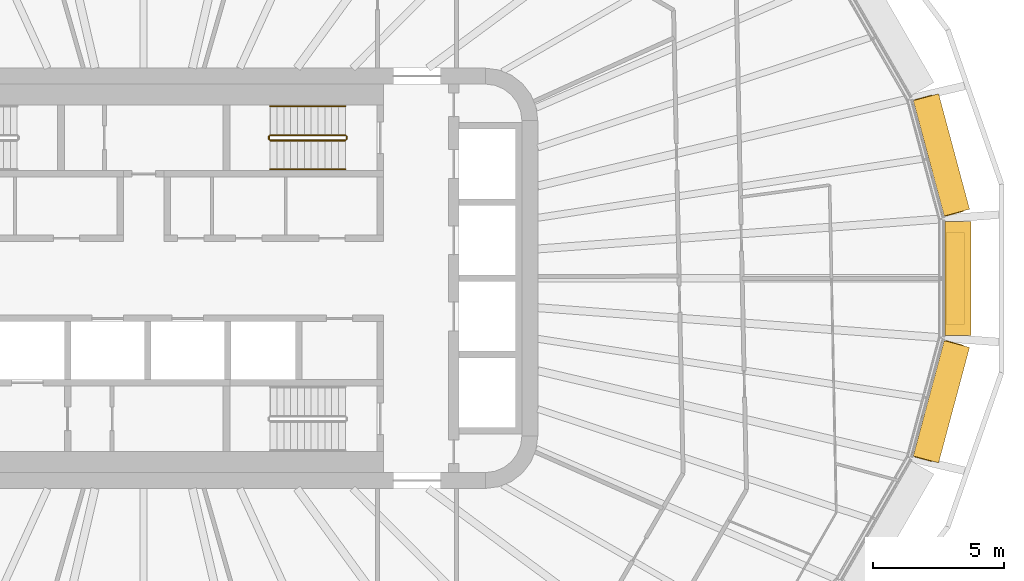
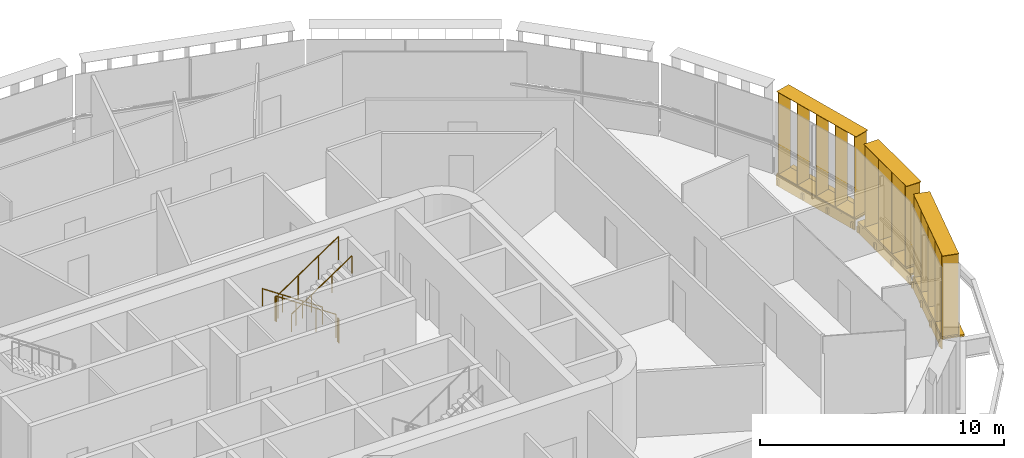
# One storey, part 22 of 23: 6 railings, 6 shading devices.
"""IFC4 building model written with IfcOpenShell, lengths in metres."""

from ifc_helpers import new_model, si_unit, direction, frame, origin, origin_2d, place, context, subcontext, project, spatial, rectangle, circle, extrude, material, type_object, element, save


model = new_model("IFC4")

# Units and contexts
model_context = context("Model", 3, precision=1e-05, world=origin(), true_north=direction((0.0, 1.0)))
body_context = subcontext(model_context, "Body", "Model", "MODEL_VIEW")
ifc_project = project(units=[si_unit("LENGTHUNIT", "METRE"), si_unit("AREAUNIT", "SQUARE_METRE"), si_unit("VOLUMEUNIT", "CUBIC_METRE"), si_unit("PLANEANGLEUNIT", "RADIAN"), si_unit("MASSUNIT", "GRAM", prefix="KILO")], contexts=[model_context])

# Site, building, storey
site_placement = place(None, origin())
site = spatial("IfcSite", under=ifc_project, at=site_placement, CompositionType="ELEMENT")
building_placement = place(site_placement, origin())
building = spatial("IfcBuilding", under=site, at=building_placement, Name="Sahrelin Media Tower", CompositionType="ELEMENT")
storey_placement = place(building_placement, frame((0.0, 0.0, 54.60009765625)))
storey = spatial("IfcBuildingStorey", under=building, at=storey_placement, Name="L08", CompositionType="ELEMENT", Elevation=54.60009765625)

# Shading devices
ifc_material_1 = material(Name="Champagne anodised aluminium 6063-T6", Category="aluminium")
shading_device_type_1 = type_object("IfcShadingDeviceType", Name="Fin cassette", PredefinedType="USERDEFINED", material=ifc_material_1)
placement_1 = place(storey_placement, frame((30.47412109375, 0.0, 0.0), z_axis=(0.0, 0.0, 1.0), x_axis=(0.0, -1.0, 0.0)))
element("IfcShadingDevice", 1, at=placement_1, inside=storey, type_object=shading_device_type_1, Name="L08:FIN:L08-00", ObjectType="FIN", PredefinedType="USERDEFINED", context=body_context, shape_type="SweptSolid", body=[
    extrude(rectangle(XDim=3.5, YDim=0.699951171875, at=origin_2d()), frame((0.0, 0.419921875, 0.0)), (0.0, 0.0, 1.0), 0.02001953125),
    extrude(rectangle(XDim=3.5, YDim=0.699951171875, at=origin_2d()), frame((0.0, 0.419921875, 4.10009765625)), (0.0, 0.0, 1.0), 0.02001953125),
    extrude(rectangle(XDim=0.02001953125, YDim=0.699951171875, at=origin_2d()), frame((-1.64990234375, 0.419921875, 0.010009765625), z_axis=(0.0, 0.0, 1.0), x_axis=(1.0, 0.0, 0.0)), (0.0, 0.0, 1.0), 4.10009765625),
    extrude(rectangle(XDim=0.02001953125, YDim=0.699951171875, at=origin_2d()), frame((-0.550048828125, 0.419921875, 0.010009765625), z_axis=(0.0, 0.0, 1.0), x_axis=(1.0, 0.0, 0.0)), (0.0, 0.0, 1.0), 4.10009765625),
    extrude(rectangle(XDim=0.02001953125, YDim=0.699951171875, at=origin_2d()), frame((0.550048828125, 0.419921875, 0.010009765625), z_axis=(0.0, 0.0, 1.0), x_axis=(1.0, 0.0, 0.0)), (0.0, 0.0, 1.0), 4.10009765625),
    extrude(rectangle(XDim=0.02001953125, YDim=0.699951171875, at=origin_2d()), frame((1.64990234375, 0.419921875, 0.010009765625), z_axis=(0.0, 0.0, 1.0), x_axis=(1.0, 0.0, 0.0)), (0.0, 0.0, 1.0), 4.10009765625),
])
placement_2 = place(storey_placement, frame((29.859619140625, 4.562744140625, 0.0), z_axis=(0.0, 0.0, 1.0), x_axis=(0.258807731996, -0.965928857556, 0.0)))
element("IfcShadingDevice", 2, at=placement_2, inside=storey, type_object=shading_device_type_1, Name="L08:FIN:L08-01", ObjectType="FIN", PredefinedType="USERDEFINED", context=body_context, shape_type="SweptSolid", body=[
    extrude(rectangle(XDim=4.60009765625, YDim=0.699951171875, at=origin_2d()), frame((0.0, 0.419921875, 0.0)), (0.0, 0.0, 1.0), 0.02001953125),
    extrude(rectangle(XDim=4.60009765625, YDim=0.699951171875, at=origin_2d()), frame((0.0, 0.419921875, 4.10009765625)), (0.0, 0.0, 1.0), 0.02001953125),
    extrude(rectangle(XDim=0.02001953125, YDim=0.699951171875, at=origin_2d()), frame((-2.199951171875, 0.419921875, 0.010009765625), z_axis=(0.0, 0.0, 1.0), x_axis=(1.0, 0.0, 0.0)), (0.0, 0.0, 1.0), 4.10009765625),
    extrude(rectangle(XDim=0.02001953125, YDim=0.699951171875, at=origin_2d()), frame((-1.10009765625, 0.419921875, 0.010009765625), z_axis=(0.0, 0.0, 1.0), x_axis=(1.0, 0.0, 0.0)), (0.0, 0.0, 1.0), 4.10009765625),
    extrude(rectangle(XDim=0.02001953125, YDim=0.699951171875, at=origin_2d()), frame((0.0, 0.419921875, 0.010009765625), z_axis=(0.0, 0.0, 1.0), x_axis=(1.0, 0.0, 0.0)), (0.0, 0.0, 1.0), 4.10009765625),
    extrude(rectangle(XDim=0.02001953125, YDim=0.699951171875, at=origin_2d()), frame((1.10009765625, 0.419921875, 0.010009765625), z_axis=(0.0, 0.0, 1.0), x_axis=(1.0, 0.0, 0.0)), (0.0, 0.0, 1.0), 4.10009765625),
    extrude(rectangle(XDim=0.02001953125, YDim=0.699951171875, at=origin_2d()), frame((2.199951171875, 0.419921875, 0.010009765625), z_axis=(0.0, 0.0, 1.0), x_axis=(1.0, 0.0, 0.0)), (0.0, 0.0, 1.0), 4.10009765625),
])
placement_3 = place(storey_placement, frame((29.859619140625, -4.562744140625, 0.0), z_axis=(0.0, 0.0, 1.0), x_axis=(-0.258807731996, -0.965928857556, 0.0)))
element("IfcShadingDevice", 3, at=placement_3, inside=storey, type_object=shading_device_type_1, Name="L08:FIN:L08-23", ObjectType="FIN", PredefinedType="USERDEFINED", context=body_context, shape_type="SweptSolid", body=[
    extrude(rectangle(XDim=4.60009765625, YDim=0.699951171875, at=origin_2d()), frame((0.0, 0.419921875, 0.0)), (0.0, 0.0, 1.0), 0.02001953125),
    extrude(rectangle(XDim=4.60009765625, YDim=0.699951171875, at=origin_2d()), frame((0.0, 0.419921875, 4.10009765625)), (0.0, 0.0, 1.0), 0.02001953125),
    extrude(rectangle(XDim=0.02001953125, YDim=0.699951171875, at=origin_2d()), frame((-2.199951171875, 0.419921875, 0.010009765625), z_axis=(0.0, 0.0, 1.0), x_axis=(1.0, 0.0, 0.0)), (0.0, 0.0, 1.0), 4.10009765625),
    extrude(rectangle(XDim=0.02001953125, YDim=0.699951171875, at=origin_2d()), frame((-1.10009765625, 0.419921875, 0.010009765625), z_axis=(0.0, 0.0, 1.0), x_axis=(1.0, 0.0, 0.0)), (0.0, 0.0, 1.0), 4.10009765625),
    extrude(rectangle(XDim=0.02001953125, YDim=0.699951171875, at=origin_2d()), frame((0.0, 0.419921875, 0.010009765625), z_axis=(0.0, 0.0, 1.0), x_axis=(1.0, 0.0, 0.0)), (0.0, 0.0, 1.0), 4.10009765625),
    extrude(rectangle(XDim=0.02001953125, YDim=0.699951171875, at=origin_2d()), frame((1.10009765625, 0.419921875, 0.010009765625), z_axis=(0.0, 0.0, 1.0), x_axis=(1.0, 0.0, 0.0)), (0.0, 0.0, 1.0), 4.10009765625),
    extrude(rectangle(XDim=0.02001953125, YDim=0.699951171875, at=origin_2d()), frame((2.199951171875, 0.419921875, 0.010009765625), z_axis=(0.0, 0.0, 1.0), x_axis=(1.0, 0.0, 0.0)), (0.0, 0.0, 1.0), 4.10009765625),
])

# Railings
ifc_material_2 = material(Name="Steel S355", Category="steel")
railing_type_1 = type_object("IfcRailingType", Name="Stair guard 1200", PredefinedType="GUARDRAIL", material=ifc_material_2)
railing_1_placement = place(storey_placement, frame((7.675048828125, 5.449951171875, 0.1748046875)))
element("IfcRailing", 4, at=railing_1_placement, inside=storey, type_object=railing_type_1, Name="L08 ST3 stair guard 1", PredefinedType="GUARDRAIL", context=body_context, shape_type="SweptSolid", body=[
    extrude(circle(Radius=0.02392578125, at=origin_2d()), frame((0.0, 0.0, 1.17578125), z_axis=(-0.829590901723, 0.0, 0.558371682465), x_axis=(0.0, -1.0, 0.0)), (0.0, 0.0, 1.0), 3.447509765625),
    extrude(circle(Radius=0.02099609375, at=origin_2d()), origin(), (0.0, 0.0, 1.0), 1.15185546875),
    extrude(circle(Radius=0.02099609375, at=origin_2d()), frame((-0.953369140625, 0.0, 0.6416015625)), (0.0, 0.0, 1.0), 1.15185546875),
    extrude(circle(Radius=0.02099609375, at=origin_2d()), frame((-1.90673828125, 0.0, 1.283447265625)), (0.0, 0.0, 1.0), 1.15185546875),
    extrude(circle(Radius=0.02099609375, at=origin_2d()), frame((-2.860107421875, 0.0, 1.925048828125)), (0.0, 0.0, 1.0), 1.15185546875),
])
railing_2_placement = place(storey_placement, frame((4.764892578125, 5.39990234375, 2.099853515625)))
element("IfcRailing", 5, at=railing_2_placement, inside=storey, type_object=railing_type_1, Name="L08 ST3 stair guard 2", PredefinedType="GUARDRAIL", context=body_context, shape_type="SweptSolid", body=[
    extrude(circle(Radius=0.02392578125, at=origin_2d()), frame((0.0, 0.0, 1.17578125), z_axis=(0.0, -1.0, 0.0), x_axis=(1.0, 0.0, 0.0)), (0.0, 0.0, 1.0), 0.099853515625),
    extrude(circle(Radius=0.02099609375, at=origin_2d()), origin(), (0.0, 0.0, 1.0), 1.15185546875),
    extrude(circle(Radius=0.02099609375, at=origin_2d()), frame((0.0, -0.099853515625, 0.0)), (0.0, 0.0, 1.0), 1.15185546875),
])
railing_3_placement = place(storey_placement, frame((4.81494140625, 5.25, 2.27490234375)))
element("IfcRailing", 6, at=railing_3_placement, inside=storey, type_object=railing_type_1, Name="L08 ST3 stair guard 3", PredefinedType="GUARDRAIL", context=body_context, shape_type="SweptSolid", body=[
    extrude(circle(Radius=0.02392578125, at=origin_2d()), frame((0.0, 0.0, 1.17578125), z_axis=(0.829590901723, 0.0, 0.558371682465), x_axis=(0.0, 1.0, 0.0)), (0.0, 0.0, 1.0), 3.447509765625),
    extrude(circle(Radius=0.02099609375, at=origin_2d()), origin(), (0.0, 0.0, 1.0), 1.15185546875),
    extrude(circle(Radius=0.02099609375, at=origin_2d()), frame((0.953369140625, 0.0, 0.6416015625)), (0.0, 0.0, 1.0), 1.15185546875),
    extrude(circle(Radius=0.02099609375, at=origin_2d()), frame((1.90673828125, 0.0, 1.283447265625)), (0.0, 0.0, 1.0), 1.15185546875),
    extrude(circle(Radius=0.02099609375, at=origin_2d()), frame((2.860107421875, 0.0, 1.925048828125)), (0.0, 0.0, 1.0), 1.15185546875),
])
railing_4_placement = place(storey_placement, frame((7.72509765625, 5.39990234375, 0.0)))
element("IfcRailing", 7, at=railing_4_placement, inside=storey, type_object=railing_type_1, Name="L08 ST3 stair guard 4", PredefinedType="GUARDRAIL", context=body_context, shape_type="SweptSolid", body=[
    extrude(circle(Radius=0.02392578125, at=origin_2d()), frame((0.0, 0.0, 1.17578125), z_axis=(0.0, -1.0, 0.0), x_axis=(1.0, 0.0, 0.0)), (0.0, 0.0, 1.0), 0.099853515625),
    extrude(circle(Radius=0.02099609375, at=origin_2d()), origin(), (0.0, 0.0, 1.0), 1.15185546875),
    extrude(circle(Radius=0.02099609375, at=origin_2d()), frame((0.0, -0.099853515625, 0.0)), (0.0, 0.0, 1.0), 1.15185546875),
])
railing_type_2 = type_object("IfcRailingType", Name="Stair handrail 900", PredefinedType="HANDRAIL", material=ifc_material_2)
railing_5_placement = place(storey_placement, frame((7.675048828125, 6.550048828125, 0.1748046875)))
element("IfcRailing", 8, at=railing_5_placement, inside=storey, type_object=railing_type_2, Name="L08 ST3 stair handrail 1", PredefinedType="HANDRAIL", context=body_context, shape_type="SweptSolid", body=[
    extrude(circle(Radius=0.02392578125, at=origin_2d()), frame((0.0, 0.0, 0.8759765625), z_axis=(-0.829590901723, 0.0, 0.558371682465), x_axis=(0.0, -1.0, 0.0)), (0.0, 0.0, 1.0), 3.447509765625),
    extrude(circle(Radius=0.02099609375, at=origin_2d()), origin(), (0.0, 0.0, 1.0), 0.851806640625),
    extrude(circle(Radius=0.02099609375, at=origin_2d()), frame((-0.953369140625, 0.0, 0.6416015625)), (0.0, 0.0, 1.0), 0.851806640625),
    extrude(circle(Radius=0.02099609375, at=origin_2d()), frame((-1.90673828125, 0.0, 1.283447265625)), (0.0, 0.0, 1.0), 0.851806640625),
    extrude(circle(Radius=0.02099609375, at=origin_2d()), frame((-2.860107421875, 0.0, 1.925048828125)), (0.0, 0.0, 1.0), 0.851806640625),
])
railing_6_placement = place(storey_placement, frame((4.81494140625, 4.14990234375, 2.27490234375)))
element("IfcRailing", 9, at=railing_6_placement, inside=storey, type_object=railing_type_2, Name="L08 ST3 stair handrail 2", PredefinedType="HANDRAIL", context=body_context, shape_type="SweptSolid", body=[
    extrude(circle(Radius=0.02392578125, at=origin_2d()), frame((0.0, 0.0, 0.8759765625), z_axis=(0.829590901723, 0.0, 0.558371682465), x_axis=(0.0, 1.0, 0.0)), (0.0, 0.0, 1.0), 3.447509765625),
    extrude(circle(Radius=0.02099609375, at=origin_2d()), origin(), (0.0, 0.0, 1.0), 0.851806640625),
    extrude(circle(Radius=0.02099609375, at=origin_2d()), frame((0.953369140625, 0.0, 0.6416015625)), (0.0, 0.0, 1.0), 0.851806640625),
    extrude(circle(Radius=0.02099609375, at=origin_2d()), frame((1.90673828125, 0.0, 1.283447265625)), (0.0, 0.0, 1.0), 0.851806640625),
    extrude(circle(Radius=0.02099609375, at=origin_2d()), frame((2.860107421875, 0.0, 1.925048828125)), (0.0, 0.0, 1.0), 0.851806640625),
])

# Shading devices
shading_device_type_2 = type_object("IfcShadingDeviceType", Name="Sunshade band", PredefinedType="USERDEFINED", material=ifc_material_1)
element("IfcShadingDevice", 10, at=placement_1, inside=storey, type_object=shading_device_type_2, Name="L08:SUN:L08-00", ObjectType="SUNSHADE", PredefinedType="USERDEFINED", context=body_context, shape_type="SweptSolid", body=[
    extrude(rectangle(XDim=4.339111328125, YDim=0.050048828125, at=origin_2d()), frame((0.0, 0.044921875, -0.55126953125)), (0.0, 0.0, 1.0), 0.471435546875),
    extrude(rectangle(XDim=4.339111328125, YDim=1.0, at=origin_2d()), frame((0.0, 0.52001953125, -0.080078125)), (0.0, 0.0, 1.0), 0.080078125),
    extrude(rectangle(XDim=0.10009765625, YDim=0.074951171875, at=origin_2d()), frame((-2.069580078125, -0.017578125, -0.47021484375)), (0.0, 0.0, 1.0), 0.300048828125),
    extrude(rectangle(XDim=0.10009765625, YDim=0.074951171875, at=origin_2d()), frame((-0.68994140625, -0.017578125, -0.47021484375)), (0.0, 0.0, 1.0), 0.300048828125),
    extrude(rectangle(XDim=0.10009765625, YDim=0.074951171875, at=origin_2d()), frame((0.68994140625, -0.017578125, -0.47021484375)), (0.0, 0.0, 1.0), 0.300048828125),
    extrude(rectangle(XDim=0.10009765625, YDim=0.074951171875, at=origin_2d()), frame((2.069580078125, -0.017578125, -0.47021484375)), (0.0, 0.0, 1.0), 0.300048828125),
])
element("IfcShadingDevice", 11, at=placement_2, inside=storey, type_object=shading_device_type_2, Name="L08:SUN:L08-01", ObjectType="SUNSHADE", PredefinedType="USERDEFINED", context=body_context, shape_type="SweptSolid", body=[
    extrude(rectangle(XDim=4.548095703125, YDim=0.050048828125, at=origin_2d()), frame((0.0, 0.044921875, -0.55126953125)), (0.0, 0.0, 1.0), 0.471435546875),
    extrude(rectangle(XDim=4.548095703125, YDim=1.0, at=origin_2d()), frame((0.0, 0.52001953125, -0.080078125)), (0.0, 0.0, 1.0), 0.080078125),
    extrude(rectangle(XDim=0.10009765625, YDim=0.074951171875, at=origin_2d()), frame((-2.174072265625, -0.017578125, -0.47021484375)), (0.0, 0.0, 1.0), 0.300048828125),
    extrude(rectangle(XDim=0.10009765625, YDim=0.074951171875, at=origin_2d()), frame((-0.724609375, -0.017578125, -0.47021484375)), (0.0, 0.0, 1.0), 0.300048828125),
    extrude(rectangle(XDim=0.10009765625, YDim=0.074951171875, at=origin_2d()), frame((0.724609375, -0.017578125, -0.47021484375)), (0.0, 0.0, 1.0), 0.300048828125),
    extrude(rectangle(XDim=0.10009765625, YDim=0.074951171875, at=origin_2d()), frame((2.174072265625, -0.017578125, -0.47021484375)), (0.0, 0.0, 1.0), 0.300048828125),
])
element("IfcShadingDevice", 12, at=placement_3, inside=storey, type_object=shading_device_type_2, Name="L08:SUN:L08-23", ObjectType="SUNSHADE", PredefinedType="USERDEFINED", context=body_context, shape_type="SweptSolid", body=[
    extrude(rectangle(XDim=4.548095703125, YDim=0.050048828125, at=origin_2d()), frame((0.0, 0.044921875, -0.55126953125)), (0.0, 0.0, 1.0), 0.471435546875),
    extrude(rectangle(XDim=4.548095703125, YDim=1.0, at=origin_2d()), frame((0.0, 0.52001953125, -0.080078125)), (0.0, 0.0, 1.0), 0.080078125),
    extrude(rectangle(XDim=0.10009765625, YDim=0.074951171875, at=origin_2d()), frame((-2.174072265625, -0.017578125, -0.47021484375)), (0.0, 0.0, 1.0), 0.300048828125),
    extrude(rectangle(XDim=0.10009765625, YDim=0.074951171875, at=origin_2d()), frame((-0.724609375, -0.017578125, -0.47021484375)), (0.0, 0.0, 1.0), 0.300048828125),
    extrude(rectangle(XDim=0.10009765625, YDim=0.074951171875, at=origin_2d()), frame((0.724609375, -0.017578125, -0.47021484375)), (0.0, 0.0, 1.0), 0.300048828125),
    extrude(rectangle(XDim=0.10009765625, YDim=0.074951171875, at=origin_2d()), frame((2.174072265625, -0.017578125, -0.47021484375)), (0.0, 0.0, 1.0), 0.300048828125),
])

save(model, "model.ifc")
